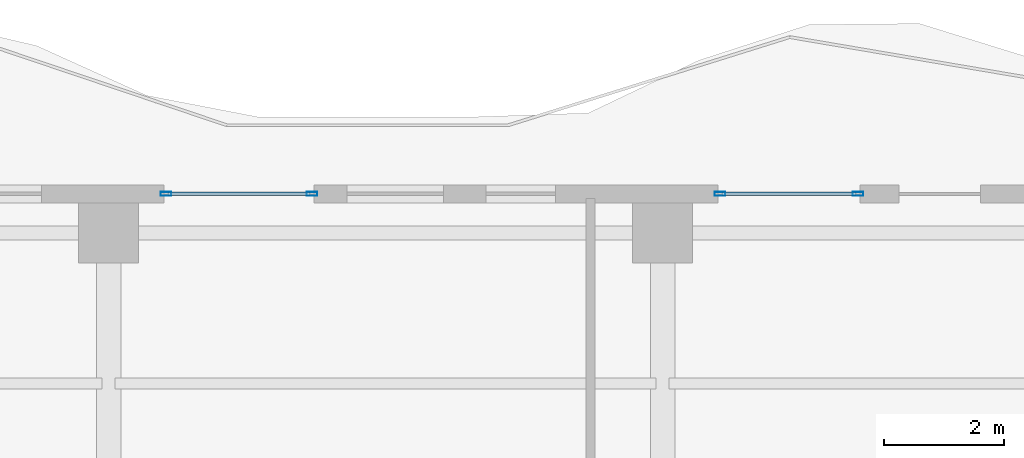
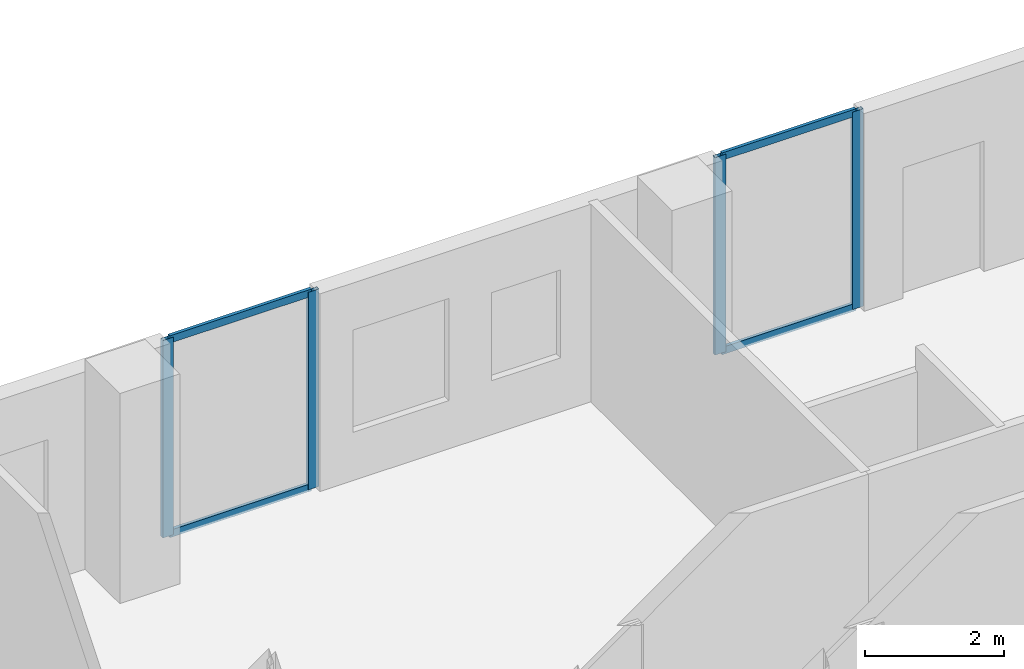
# One storey, part 14 of 23: 8 members, 2 elements without a shape of their own.
"""IFC4 building model written with IfcOpenShell, lengths in metres."""

from ifc_helpers import new_model, si_unit, direction, frame, origin, origin_2d, place, context, subcontext, project, spatial, hollow_rectangle, extrude, material, layer, layer_set, material_profile, profile_set, type_object, element, aggregate, save


model = new_model("IFC4")

# Units and contexts
model_context = context("Model", 3, precision=1e-05, world=origin(), true_north=direction((0.0, 1.0)))
body_context = subcontext(model_context, "Body", "Model", "MODEL_VIEW")
ifc_project = project(units=[si_unit("LENGTHUNIT", "METRE"), si_unit("AREAUNIT", "SQUARE_METRE"), si_unit("VOLUMEUNIT", "CUBIC_METRE"), si_unit("PLANEANGLEUNIT", "RADIAN"), si_unit("MASSUNIT", "GRAM", prefix="KILO")], contexts=[model_context])

# Site, building, storey
site_placement = place(None, origin())
site = spatial("IfcSite", under=ifc_project, at=site_placement, CompositionType="ELEMENT")
building_placement = place(site_placement, origin())
building = spatial("IfcBuilding", under=site, at=building_placement, Name="Zuhayl Quay Hotel", CompositionType="ELEMENT")
storey_placement = place(building_placement, frame((0.0, 0.0, 261.85009765625)))
storey = spatial("IfcBuildingStorey", under=building, at=storey_placement, Name="L66", CompositionType="ELEMENT", Elevation=261.85009765625)

# Curtain wall, members
ifc_material_1 = material(Name="Anodised Aluminium 6063-T6", Category="aluminium")
ifc_layer = layer(ifc_material_1, 0.169921875, Name="Anodised Aluminium 6063-T6", Category="aluminium")
ifc_layer_set = layer_set([ifc_layer], Name="Anodised Aluminium 6063-T6")
curtain_wall_type = type_object("IfcCurtainWallType", Name="CW_SYS_Z4", PredefinedType="USERDEFINED", material=ifc_layer_set)
curtain_wall_1_placement = place(storey_placement, origin())
curtain_wall_1 = element("IfcCurtainWall", 1, at=curtain_wall_1_placement, inside=storey, type_object=curtain_wall_type, Name="L66 Curtain Wall ENV_L66_N_CW2", ObjectType="UNITISED CURTAIN WALL", PredefinedType="USERDEFINED")
ifc_material_2 = material(Name="Black-anodised aluminium 6063-T6", Category="aluminium")
ifc_material_profile_1 = material_profile(ifc_material_2, hollow_rectangle(XDim=0.06494140625, YDim=0.179931640625, WallThickness=0.00341796875, at=origin_2d()), Name="ALU180X65")
ifc_profile_set_1 = profile_set([ifc_material_profile_1], Name="Black-anodised aluminium 6063-T6")
member_type_1 = type_object("IfcMemberType", Name="MB_CW_MUL_180", PredefinedType="MULLION", material=ifc_profile_set_1)
member_1_placement = place(storey_placement, frame((-3.6474609375, 39.0, 0.0), z_axis=(0.0, 0.0, 1.0), x_axis=(0.0, 1.0, 0.0)))
member_1 = element("IfcMember", 2, at=member_1_placement, type_object=member_type_1, Name="CW-Z4 mullion 1", PredefinedType="MULLION", context=body_context, shape_type="SweptSolid", body=[
    extrude(hollow_rectangle(XDim=0.06494140625, YDim=0.179931640625, WallThickness=0.00341796875, at=origin_2d()), origin(), (0.0, 0.0, 1.0), 3.47998046875),
])
member_2_placement = place(storey_placement, frame((-1.222412109375, 39.0, 0.0), z_axis=(0.0, 0.0, 1.0), x_axis=(0.0, 1.0, 0.0)))
member_2 = element("IfcMember", 3, at=member_2_placement, type_object=member_type_1, Name="CW-Z4 mullion 2", PredefinedType="MULLION", context=body_context, shape_type="SweptSolid", body=[
    extrude(hollow_rectangle(XDim=0.06494140625, YDim=0.179931640625, WallThickness=0.00341796875, at=origin_2d()), origin(), (0.0, 0.0, 1.0), 3.47998046875),
])

curtain_wall_2_placement = place(storey_placement, origin())
curtain_wall_2 = element("IfcCurtainWall", 4, at=curtain_wall_2_placement, inside=storey, type_object=curtain_wall_type, Name="L66 Curtain Wall ENV_L66_N_CW3", ObjectType="UNITISED CURTAIN WALL", PredefinedType="USERDEFINED")
member_3_placement = place(storey_placement, frame((5.552490234375, 39.0, 0.0), z_axis=(0.0, 0.0, 1.0), x_axis=(0.0, 1.0, 0.0)))
member_3 = element("IfcMember", 5, at=member_3_placement, type_object=member_type_1, Name="CW-Z4 mullion 1", PredefinedType="MULLION", context=body_context, shape_type="SweptSolid", body=[
    extrude(hollow_rectangle(XDim=0.06494140625, YDim=0.179931640625, WallThickness=0.00341796875, at=origin_2d()), origin(), (0.0, 0.0, 1.0), 3.47998046875),
])
member_4_placement = place(storey_placement, frame((7.845458984375, 39.0, 0.0), z_axis=(0.0, 0.0, 1.0), x_axis=(0.0, 1.0, 0.0)))
member_4 = element("IfcMember", 6, at=member_4_placement, type_object=member_type_1, Name="CW-Z4 mullion 2", PredefinedType="MULLION", context=body_context, shape_type="SweptSolid", body=[
    extrude(hollow_rectangle(XDim=0.06494140625, YDim=0.179931640625, WallThickness=0.00341796875, at=origin_2d()), origin(), (0.0, 0.0, 1.0), 3.47998046875),
])

# Member
ifc_material_profile_2 = material_profile(ifc_material_2, hollow_rectangle(XDim=0.054931640625, YDim=0.1298828125, WallThickness=0.0029296875, at=origin_2d()), Name="ALU130X55")
ifc_profile_set_2 = profile_set([ifc_material_profile_2], Name="Black-anodised aluminium 6063-T6")
member_type_2 = type_object("IfcMemberType", Name="MB_CW_TRN_130", PredefinedType="USERDEFINED", material=ifc_profile_set_2)
member_5_placement = place(storey_placement, frame((-3.614990234375, 39.0, 0.02734375), z_axis=(1.0, 0.0, 0.0), x_axis=(0.0, 1.0, 0.0)))
member_5 = element("IfcMember", 7, at=member_5_placement, type_object=member_type_2, Name="CW-Z4 transom 1.1", ObjectType="TRANSOM", PredefinedType="USERDEFINED", context=body_context, shape_type="SweptSolid", body=[
    extrude(hollow_rectangle(XDim=0.054931640625, YDim=0.1298828125, WallThickness=0.0029296875, at=origin_2d()), origin(), (0.0, 0.0, 1.0), 2.360107421875),
])

member_6_placement = place(storey_placement, frame((-3.614990234375, 39.0, 3.452392578125), z_axis=(1.0, 0.0, 0.0), x_axis=(0.0, 1.0, 0.0)))
member_6 = element("IfcMember", 8, at=member_6_placement, type_object=member_type_2, Name="CW-Z4 transom 1.2", ObjectType="TRANSOM", PredefinedType="USERDEFINED", context=body_context, shape_type="SweptSolid", body=[
    extrude(hollow_rectangle(XDim=0.054931640625, YDim=0.1298828125, WallThickness=0.0029296875, at=origin_2d()), origin(), (0.0, 0.0, 1.0), 2.360107421875),
])

aggregate(curtain_wall_1, [member_1, member_2, member_5, member_6])

member_7_placement = place(storey_placement, frame((5.5849609375, 39.0, 0.02734375), z_axis=(1.0, 0.0, 0.0), x_axis=(0.0, 1.0, 0.0)))
member_7 = element("IfcMember", 9, at=member_7_placement, type_object=member_type_2, Name="CW-Z4 transom 1.1", ObjectType="TRANSOM", PredefinedType="USERDEFINED", context=body_context, shape_type="SweptSolid", body=[
    extrude(hollow_rectangle(XDim=0.054931640625, YDim=0.1298828125, WallThickness=0.0029296875, at=origin_2d()), origin(), (0.0, 0.0, 1.0), 2.22802734375),
])

member_8_placement = place(storey_placement, frame((5.5849609375, 39.0, 3.452392578125), z_axis=(1.0, 0.0, 0.0), x_axis=(0.0, 1.0, 0.0)))
member_8 = element("IfcMember", 10, at=member_8_placement, type_object=member_type_2, Name="CW-Z4 transom 1.2", ObjectType="TRANSOM", PredefinedType="USERDEFINED", context=body_context, shape_type="SweptSolid", body=[
    extrude(hollow_rectangle(XDim=0.054931640625, YDim=0.1298828125, WallThickness=0.0029296875, at=origin_2d()), origin(), (0.0, 0.0, 1.0), 2.22802734375),
])

aggregate(curtain_wall_2, [member_3, member_4, member_7, member_8])

save(model, "model.ifc")
